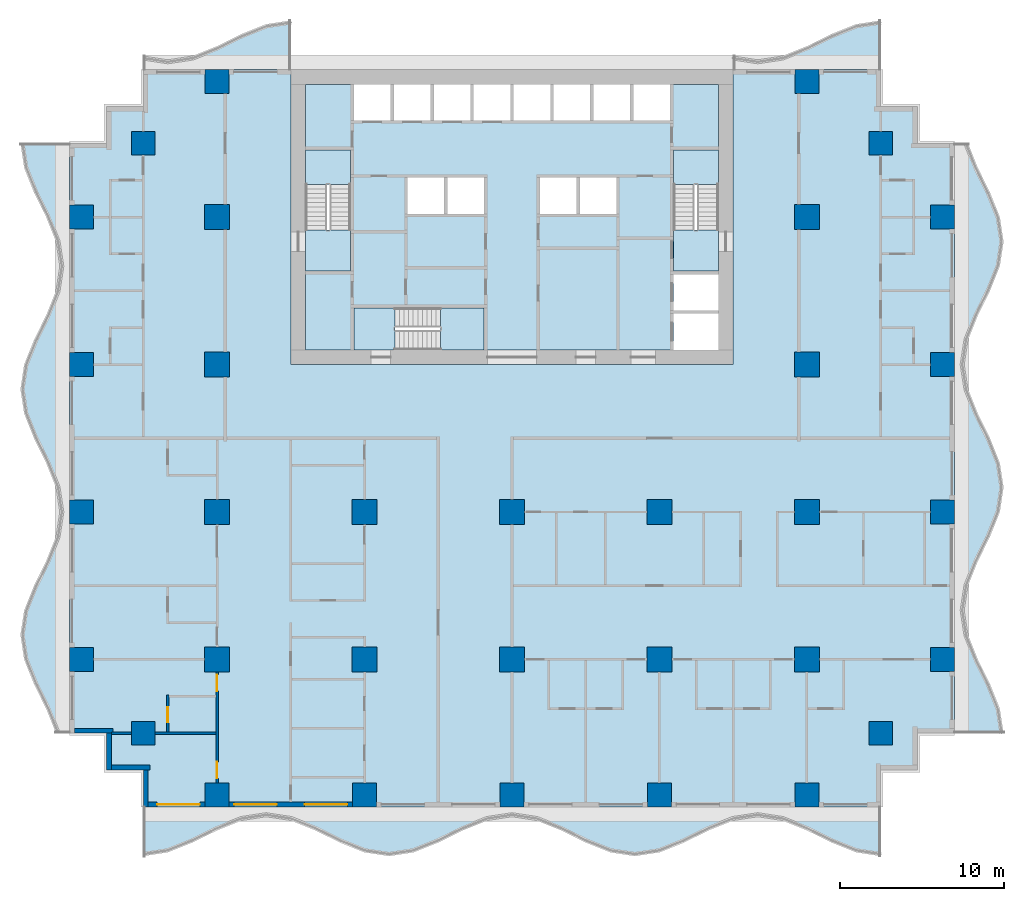
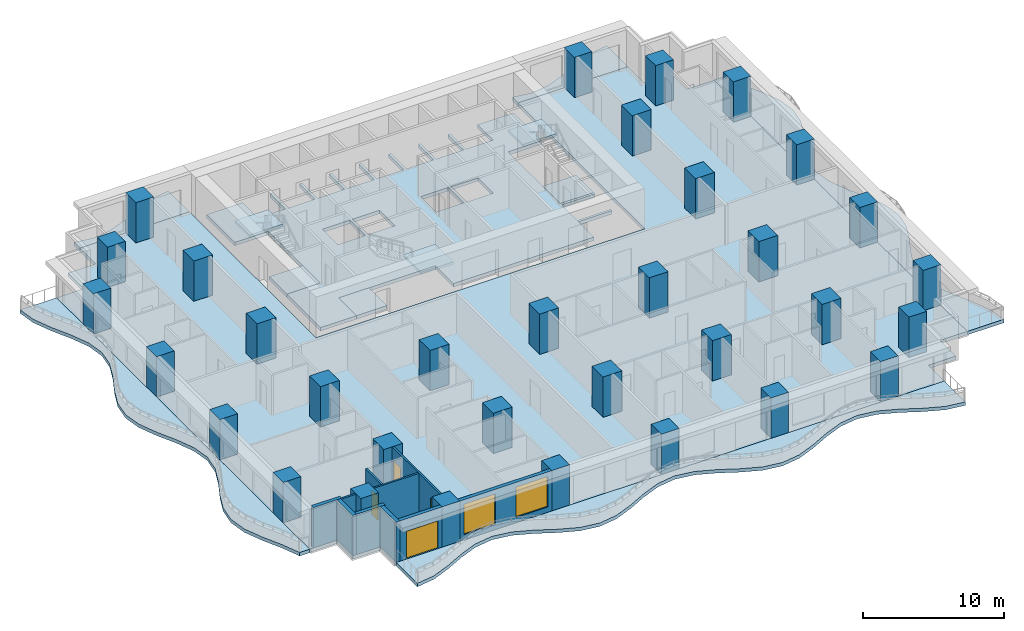
# One storey, part 1 of 14: 33 columns, 13 slabs, 10 walls, 4 doors, 2 windows, 6 openings, 3 elements without a shape of their own.
"""IFC4 building model written with IfcOpenShell, lengths in metres."""

from ifc_helpers import new_model, si_unit, direction, frame, frame_2d, origin, origin_2d, place, context, subcontext, project, spatial, polyline, rectangle, outline, extrude, material, layer, layer_set, material_profile, profile_set, type_object, element, fill, aggregate, save


model = new_model("IFC4")

# Units and contexts
model_context = context("Model", 3, precision=1e-05, world=origin(), true_north=direction((0.0, 1.0)))
body_context = subcontext(model_context, "Body", "Model", "MODEL_VIEW")
ifc_project = project(units=[si_unit("LENGTHUNIT", "METRE"), si_unit("AREAUNIT", "SQUARE_METRE"), si_unit("VOLUMEUNIT", "CUBIC_METRE"), si_unit("PLANEANGLEUNIT", "RADIAN"), si_unit("MASSUNIT", "GRAM", prefix="KILO")], contexts=[model_context])

# Site, building, storey
site_placement = place(None, origin())
site = spatial("IfcSite", under=ifc_project, at=site_placement, CompositionType="ELEMENT")
building_placement = place(site_placement, origin())
building = spatial("IfcBuilding", under=site, at=building_placement, Name="Orbiselva Terraces", CompositionType="ELEMENT")
storey_placement = place(building_placement, frame((0.0, 0.0, 22.6)))
storey = spatial("IfcBuildingStorey", under=building, at=storey_placement, Name="L05", CompositionType="ELEMENT", Elevation=22.6)

# Columns
ifc_material_1 = material(Name="Concrete C80/95", Category="concrete")
ifc_material_profile_1 = material_profile(ifc_material_1, rectangle(XDim=1.55, YDim=1.55, at=origin_2d()), Name="RC 1550x1550")
ifc_profile_set_1 = profile_set([ifc_material_profile_1], Name="Concrete C80/95")
column_type_1 = type_object("IfcColumnType", Name="COLUMN RC 1550x1550", PredefinedType="COLUMN", material=ifc_profile_set_1)
for number, where, z_axis, x_axis, name in (
    (1, (-18.0, -13.5, 0.0), (0.0, 0.0, 1.0), (1.0, 0.0, 0.0), "Column L05-01"),
    (2, (-18.0, -4.5, 0.0), (0.0, 0.0, 1.0), (1.0, 0.0, 0.0), "Column L05-03"),
    (3, (-18.0, 13.5, 0.0), (0.0, 0.0, 1.0), (1.0, 0.0, 0.0), "Column L05-04"),
    (4, (-18.0, 4.5, 0.0), (0.0, 0.0, 1.0), (1.0, 0.0, 0.0), "Column L05-06"),
    (5, (-9.0, -13.5, 0.0), (0.0, 0.0, 1.0), (1.0, 0.0, 0.0), "Column L05-13"),
    (6, (-9.0, -4.5, 0.0), (0.0, 0.0, 1.0), (1.0, 0.0, 0.0), "Column L05-15"),
    (7, (0.0, -13.5, 0.0), (0.0, 0.0, 1.0), (1.0, 0.0, 0.0), "Column L05-16"),
    (8, (0.0, -4.5, 0.0), (0.0, 0.0, 1.0), (1.0, 0.0, 0.0), "Column L05-18"),
    (9, (18.0, -13.5, 0.0), (0.0, 0.0, 1.0), (1.0, 0.0, 0.0), "Column L05-19"),
    (10, (18.0, -4.5, 0.0), (0.0, 0.0, 1.0), (1.0, 0.0, 0.0), "Column L05-21"),
    (11, (18.0, 13.5, 0.0), (0.0, 0.0, 1.0), (1.0, 0.0, 0.0), "Column L05-22"),
    (12, (18.0, 4.5, 0.0), (0.0, 0.0, 1.0), (1.0, 0.0, 0.0), "Column L05-24"),
    (13, (9.0, -13.5, 0.0), (0.0, 0.0, 1.0), (1.0, 0.0, 0.0), "Column L05-31"),
    (14, (9.0, -4.5, 0.0), (0.0, 0.0, 1.0), (1.0, 0.0, 0.0), "Column L05-33"),
):
    element("IfcColumn", number, at=place(storey_placement, frame(where, z_axis=z_axis, x_axis=x_axis)), inside=storey, type_object=column_type_1, Name=name, PredefinedType="COLUMN", context=body_context, shape_type="SweptSolid", body=[
        extrude(rectangle(XDim=1.55, YDim=1.55, at=origin_2d()), origin(), (0.0, 0.0, 1.0), 3.5),
    ])
ifc_material_2 = material(Name="Concrete C70/85", Category="concrete")
ifc_material_profile_2 = material_profile(ifc_material_2, rectangle(XDim=1.45, YDim=1.45, at=origin_2d()), Name="RC 1450x1450")
ifc_profile_set_2 = profile_set([ifc_material_profile_2], Name="Concrete C70/85")
column_type_2 = type_object("IfcColumnType", Name="PERIMETER COLUMN RC 1450x1450", PredefinedType="COLUMN", material=ifc_profile_set_2)
for number, where, z_axis, x_axis, name in (
    (15, (-18.0, -21.775, 0.0), (0.0, 0.0, 1.0), (1.0, 0.0, 0.0), "Column L05-02"),
    (16, (-18.0, 21.775, 0.0), (0.0, 0.0, 1.0), (1.0, 0.0, 0.0), "Column L05-05"),
    (17, (-26.275, -13.5, 0.0), (0.0, 0.0, 1.0), (1.0, 0.0, 0.0), "Column L05-07"),
    (18, (-22.5, -18.0, 0.0), (0.0, 0.0, 1.0), (1.0, 0.0, 0.0), "Column L05-08"),
    (19, (-26.275, -4.5, 0.0), (0.0, 0.0, 1.0), (1.0, 0.0, 0.0), "Column L05-09"),
    (20, (-26.275, 13.5, 0.0), (0.0, 0.0, 1.0), (1.0, 0.0, 0.0), "Column L05-10"),
    (21, (-22.5, 18.0, 0.0), (0.0, 0.0, 1.0), (1.0, 0.0, 0.0), "Column L05-11"),
    (22, (-26.275, 4.5, 0.0), (0.0, 0.0, 1.0), (1.0, 0.0, 0.0), "Column L05-12"),
    (23, (-9.0, -21.775, 0.0), (0.0, 0.0, 1.0), (1.0, 0.0, 0.0), "Column L05-14"),
    (24, (0.0, -21.775, 0.0), (0.0, 0.0, 1.0), (1.0, 0.0, 0.0), "Column L05-17"),
    (25, (18.0, -21.775, 0.0), (0.0, 0.0, 1.0), (1.0, 0.0, 0.0), "Column L05-20"),
    (26, (18.0, 21.775, 0.0), (0.0, 0.0, 1.0), (1.0, 0.0, 0.0), "Column L05-23"),
    (27, (26.275, -13.5, 0.0), (0.0, 0.0, 1.0), (1.0, 0.0, 0.0), "Column L05-25"),
    (28, (22.5, -18.0, 0.0), (0.0, 0.0, 1.0), (1.0, 0.0, 0.0), "Column L05-26"),
    (29, (26.275, -4.5, 0.0), (0.0, 0.0, 1.0), (1.0, 0.0, 0.0), "Column L05-27"),
    (30, (26.275, 13.5, 0.0), (0.0, 0.0, 1.0), (1.0, 0.0, 0.0), "Column L05-28"),
    (31, (22.5, 18.0, 0.0), (0.0, 0.0, 1.0), (1.0, 0.0, 0.0), "Column L05-29"),
    (32, (26.275, 4.5, 0.0), (0.0, 0.0, 1.0), (1.0, 0.0, 0.0), "Column L05-30"),
    (33, (9.0, -21.775, 0.0), (0.0, 0.0, 1.0), (1.0, 0.0, 0.0), "Column L05-32"),
):
    element("IfcColumn", number, at=place(storey_placement, frame(where, z_axis=z_axis, x_axis=x_axis)), inside=storey, type_object=column_type_2, Name=name, PredefinedType="COLUMN", context=body_context, shape_type="SweptSolid", body=[
        extrude(rectangle(XDim=1.45, YDim=1.45, at=origin_2d()), origin(), (0.0, 0.0, 1.0), 3.5),
    ])

# Slabs
ifc_material_3 = material(Name="Concrete C40/50", Category="concrete")
ifc_layer_1 = layer(ifc_material_3, 0.3)
ifc_layer_set_1 = layer_set([ifc_layer_1], Name="Concrete C40/50")
slab_type_1 = type_object("IfcSlabType", Name="CORE-SLAB-FLOOR-300", PredefinedType="FLOOR", material=ifc_layer_set_1)
slab_1_placement = place(storey_placement, frame((0.0, 0.0, -0.3)))
element("IfcSlab", 34, at=slab_1_placement, inside=storey, type_object=slab_type_1, Name="L05 S1 floor landing", PredefinedType="FLOOR", context=body_context, shape_type="SweptSolid", body=[
    extrude(outline(polyline([(-12.6, 12.7), (-9.85, 12.7), (-9.85, 10.2), (-12.6, 10.2), (-12.6, 12.7)])), origin(), (0.0, 0.0, 1.0), 0.3),
])
slab_2_placement = place(storey_placement, frame((0.0, 0.0, -0.3)))
element("IfcSlab", 35, at=slab_2_placement, inside=storey, type_object=slab_type_1, Name="L05 S2 floor landing", PredefinedType="FLOOR", context=body_context, shape_type="SweptSolid", body=[
    extrude(outline(polyline([(12.6, 12.7), (12.6, 10.2), (9.85, 10.2), (9.85, 12.7), (12.6, 12.7)])), origin(), (0.0, 0.0, 1.0), 0.3),
])
slab_3_placement = place(storey_placement, frame((0.0, 0.0, -0.3)))
element("IfcSlab", 36, at=slab_3_placement, inside=storey, type_object=slab_type_1, Name="L05 S3 floor landing", PredefinedType="FLOOR", context=body_context, shape_type="SweptSolid", body=[
    extrude(outline(polyline([(-7.15, 5.4), (-9.65, 5.4), (-9.65, 7.95), (-7.15, 7.95), (-7.15, 5.4)])), origin(), (0.0, 0.0, 1.0), 0.3),
])
slab_4_placement = place(storey_placement, frame((0.0, 0.0, -0.3)))
element("IfcSlab", 37, at=slab_4_placement, inside=storey, type_object=slab_type_1, Name="L05 core floor slab 1", PredefinedType="FLOOR", context=body_context, shape_type="SweptSolid", body=[
    extrude(outline(polyline([(-1.7, 5.4), (-1.7, 7.95), (-9.65, 7.95), (-9.65, 5.4), (-12.6, 5.4), (-12.6, 10.2), (-9.85, 10.2), (-9.85, 17.6), (-12.6, 17.6), (-12.6, 21.6), (-9.65, 21.6), (-9.65, 19.4), (-7.4125, 19.4), (-7.4125, 21.6), (-7.2125, 21.6), (-7.2125, 19.4), (-4.975, 19.4), (-4.975, 21.6), (-4.775, 21.6), (-4.775, 19.4), (-2.5375, 19.4), (-2.5375, 21.6), (-2.3375, 21.6), (-2.3375, 19.4), (-0.1, 19.4), (-0.1, 21.6), (0.1, 21.6), (0.1, 19.4), (2.3375, 19.4), (2.3375, 21.6), (2.5375, 21.6), (2.5375, 19.4), (4.775, 19.4), (4.775, 21.6), (4.975, 21.6), (4.975, 19.4), (7.2125, 19.4), (7.2125, 21.6), (7.4125, 21.6), (7.4125, 19.4), (9.65, 19.4), (9.65, 21.6), (12.6, 21.6), (12.6, 17.6), (9.85, 17.6), (9.85, 10.2), (12.6, 10.2), (12.6, 10.0), (9.85, 10.0), (9.85, 7.8), (12.6, 7.8), (12.6, 7.6), (9.85, 7.6), (9.85, 5.4), (-1.7, 5.4)]), holes=[polyline([(-4.1375, 13.7), (-4.1375, 15.9), (-6.375, 15.9), (-6.375, 13.7), (-4.1375, 13.7)]), polyline([(-1.7, 13.7), (-1.7, 15.9), (-3.9375, 15.9), (-3.9375, 13.7), (-1.7, 13.7)]), polyline([(3.9375, 13.7), (3.9375, 15.9), (1.7, 15.9), (1.7, 13.7), (3.9375, 13.7)]), polyline([(6.375, 13.7), (6.375, 15.9), (4.1375, 15.9), (4.1375, 13.7), (6.375, 13.7)])]), origin(), (0.0, 0.0, 1.0), 0.3),
])

# Stair, slab
stair_type_1 = type_object("IfcStairType", Name="CORE-STAIR-1300", PredefinedType="HALF_TURN_STAIR", material=ifc_material_3)
stair_1_placement = place(storey_placement, origin())
stair_1 = element("IfcStair", 38, at=stair_1_placement, inside=storey, type_object=stair_type_1, Name="L05 Exit Stair S1", PredefinedType="HALF_TURN_STAIR")
ifc_layer_2 = layer(ifc_material_3, 0.2)
ifc_layer_set_2 = layer_set([ifc_layer_2], Name="Concrete C40/50")
slab_type_2 = type_object("IfcSlabType", Name="CORE-STAIR-LANDING-200", PredefinedType="LANDING", material=ifc_layer_set_2)
slab_5_placement = place(storey_placement, frame((0.0, 0.0, 1.7)))
slab_5 = element("IfcSlab", 39, at=slab_5_placement, type_object=slab_type_2, Name="S1 landing 1", PredefinedType="LANDING", context=body_context, shape_type="SweptSolid", body=[
    extrude(outline(polyline([(-9.85, 15.5), (-9.85, 17.6), (-12.6, 17.6), (-12.6, 15.5), (-9.85, 15.5)])), origin(), (0.0, 0.0, 1.0), 0.2),
])
aggregate(stair_1, [slab_5])

stair_2_placement = place(storey_placement, origin())
stair_2 = element("IfcStair", 40, at=stair_2_placement, inside=storey, type_object=stair_type_1, Name="L05 Exit Stair S2", PredefinedType="HALF_TURN_STAIR")
slab_6_placement = place(storey_placement, frame((0.0, 0.0, 1.7)))
slab_6 = element("IfcSlab", 41, at=slab_6_placement, type_object=slab_type_2, Name="S2 landing 1", PredefinedType="LANDING", context=body_context, shape_type="SweptSolid", body=[
    extrude(outline(polyline([(12.6, 15.5), (12.6, 17.6), (9.85, 17.6), (9.85, 15.5), (12.6, 15.5)])), origin(), (0.0, 0.0, 1.0), 0.2),
])
aggregate(stair_2, [slab_6])

stair_type_2 = type_object("IfcStairType", Name="CORE-STAIR-1200", PredefinedType="HALF_TURN_STAIR", material=ifc_material_3)
stair_3_placement = place(storey_placement, origin())
stair_3 = element("IfcStair", 42, at=stair_3_placement, inside=storey, type_object=stair_type_2, Name="L05 Exit Stair S3", PredefinedType="HALF_TURN_STAIR")
slab_7_placement = place(storey_placement, frame((0.0, 0.0, 1.7)))
slab_7 = element("IfcSlab", 43, at=slab_7_placement, type_object=slab_type_2, Name="S3 landing 1", PredefinedType="LANDING", context=body_context, shape_type="SweptSolid", body=[
    extrude(outline(polyline([(-4.35, 5.4), (-1.7, 5.4), (-1.7, 7.95), (-4.35, 7.95), (-4.35, 5.4)])), origin(), (0.0, 0.0, 1.0), 0.2),
])
aggregate(stair_3, [slab_7])

# Slabs
ifc_material_4 = material(Name="Concrete C50/60", Category="concrete")
ifc_layer_3 = layer(ifc_material_4, 0.3)
ifc_layer_set_3 = layer_set([ifc_layer_3], Name="Concrete C50/60")
slab_type_3 = type_object("IfcSlabType", Name="ENV-BALCONY-SLAB-300", PredefinedType="FLOOR", material=ifc_layer_set_3)
slab_8_placement = place(storey_placement, frame((0.0, 0.0, -0.3)))
element("IfcSlab", 44, at=slab_8_placement, inside=storey, type_object=slab_type_3, Name="Balcony slab L05 S", PredefinedType="FLOOR", context=body_context, shape_type="SweptSolid", body=[
    extrude(outline(polyline([(-22.5, -25.5), (-21.0, -25.27082), (-19.5, -24.67082), (-18.0, -23.92918), (-16.5, -23.32918), (-15.0, -23.1), (-13.5, -23.32918), (-12.0, -23.92918), (-10.5, -24.67082), (-9.0, -25.27082), (-7.5, -25.5), (-6.0, -25.27082), (-4.5, -24.67082), (-3.0, -23.92918), (-1.5, -23.32918), (0.0, -23.1), (1.5, -23.32918), (3.0, -23.92918), (4.5, -24.67082), (6.0, -25.27082), (7.5, -25.5), (9.0, -25.27082), (10.5, -24.67082), (12.0, -23.92918), (13.5, -23.32918), (15.0, -23.1), (16.5, -23.32918), (18.0, -23.92918), (19.5, -24.67082), (21.0, -25.27082), (22.5, -25.5), (22.5, -22.5), (-22.5, -22.5), (-22.5, -25.5)])), origin(), (0.0, 0.0, 1.0), 0.3),
])
slab_9_placement = place(storey_placement, frame((0.0, 0.0, -0.3)))
element("IfcSlab", 45, at=slab_9_placement, inside=storey, type_object=slab_type_3, Name="Balcony slab L05 E", PredefinedType="FLOOR", context=body_context, shape_type="SweptSolid", body=[
    extrude(outline(polyline([(30.0, -18.0), (29.77082, -16.5), (29.17082, -15.0), (28.42918, -13.5), (27.82918, -12.0), (27.6, -10.5), (27.82918, -9.0), (28.42918, -7.5), (29.17082, -6.0), (29.77082, -4.5), (30.0, -3.0), (29.77082, -1.5), (29.17082, 0.0), (28.42918, 1.5), (27.82918, 3.0), (27.6, 4.5), (27.82918, 6.0), (28.42918, 7.5), (29.17082, 9.0), (29.77082, 10.5), (30.0, 12.0), (29.77082, 13.5), (29.17082, 15.0), (28.42918, 16.5), (27.82918, 18.0), (27.0, 18.0), (27.0, -18.0), (30.0, -18.0)])), origin(), (0.0, 0.0, 1.0), 0.3),
])
slab_10_placement = place(storey_placement, frame((0.0, 0.0, -0.3)))
element("IfcSlab", 46, at=slab_10_placement, inside=storey, type_object=slab_type_3, Name="Balcony slab L05 NE", PredefinedType="FLOOR", context=body_context, shape_type="SweptSolid", body=[
    extrude(outline(polyline([(22.5, 25.5), (21.0, 25.27082), (19.5, 24.67082), (18.0, 23.92918), (16.5, 23.32918), (15.0, 23.1), (13.5, 23.32918), (13.5, 22.5), (22.5, 22.5), (22.5, 25.5)])), origin(), (0.0, 0.0, 1.0), 0.3),
])
slab_11_placement = place(storey_placement, frame((0.0, 0.0, -0.3)))
element("IfcSlab", 47, at=slab_11_placement, inside=storey, type_object=slab_type_3, Name="Balcony slab L05 NW", PredefinedType="FLOOR", context=body_context, shape_type="SweptSolid", body=[
    extrude(outline(polyline([(-13.5, 25.5), (-15.0, 25.27082), (-16.5, 24.67082), (-18.0, 23.92918), (-19.5, 23.32918), (-21.0, 23.1), (-22.5, 23.32918), (-22.5, 22.5), (-13.5, 22.5), (-13.5, 25.5)])), origin(), (0.0, 0.0, 1.0), 0.3),
])
slab_12_placement = place(storey_placement, frame((0.0, 0.0, -0.3)))
element("IfcSlab", 48, at=slab_12_placement, inside=storey, type_object=slab_type_3, Name="Balcony slab L05 W", PredefinedType="FLOOR", context=body_context, shape_type="SweptSolid", body=[
    extrude(outline(polyline([(-30.0, 18.0), (-29.77082, 16.5), (-29.17082, 15.0), (-28.42918, 13.5), (-27.82918, 12.0), (-27.6, 10.5), (-27.82918, 9.0), (-28.42918, 7.5), (-29.17082, 6.0), (-29.77082, 4.5), (-30.0, 3.0), (-29.77082, 1.5), (-29.17082, 0.0), (-28.42918, -1.5), (-27.82918, -3.0), (-27.6, -4.5), (-27.82918, -6.0), (-28.42918, -7.5), (-29.17082, -9.0), (-29.77082, -10.5), (-30.0, -12.0), (-29.77082, -13.5), (-29.17082, -15.0), (-28.42918, -16.5), (-27.82918, -18.0), (-27.0, -18.0), (-27.0, 18.0), (-30.0, 18.0)])), origin(), (0.0, 0.0, 1.0), 0.3),
])
ifc_layer_4 = layer(ifc_material_4, 0.3)
ifc_layer_set_4 = layer_set([ifc_layer_4], Name="Concrete C50/60")
slab_type_4 = type_object("IfcSlabType", Name="FLOOR SLAB 300", PredefinedType="FLOOR", material=ifc_layer_set_4)
slab_13_placement = place(storey_placement, frame((0.0, 0.0, -0.3)))
element("IfcSlab", 49, at=slab_13_placement, inside=storey, type_object=slab_type_4, Name="Floor slab L05", PredefinedType="FLOOR", context=body_context, shape_type="SweptSolid", body=[
    extrude(outline(polyline([(22.5, 22.5), (22.5, 20.25), (24.75, 20.25), (24.75, 18.0), (27.0, 18.0), (27.0, -18.0), (24.75, -18.0), (24.75, -20.25), (22.5, -20.25), (22.5, -22.5), (-22.5, -22.5), (-22.5, -20.25), (-24.75, -20.25), (-24.75, -18.0), (-27.0, -18.0), (-27.0, 18.0), (-24.75, 18.0), (-24.75, 20.25), (-22.5, 20.25), (-22.5, 22.5), (-13.5, 22.5), (-13.5, 4.5), (13.5, 4.5), (13.5, 22.5), (22.5, 22.5)])), origin(), (0.0, 0.0, 1.0), 0.3),
])

# Wall, opening, door
ifc_material_5 = material(Name="Terracotta cladding on masonry backing", Category="masonry")
ifc_layer_5 = layer(ifc_material_5, 0.3)
ifc_layer_set_5 = layer_set([ifc_layer_5], Name="Terracotta cladding on masonry backing")
wall_type_1 = type_object("IfcWallType", Name="ENV-WALL-TERRACOTTA-300", PredefinedType="SOLIDWALL", material=ifc_layer_set_5)
wall_1_placement = place(storey_placement, frame((-18.725, -22.35, 0.0), z_axis=(0.0, 0.0, 1.0), x_axis=(-1.0, 0.0, 0.0)))
wall_1 = element("IfcWall", 50, at=wall_1_placement, inside=storey, type_object=wall_type_1, Name="Facade wall L05 S", PredefinedType="SOLIDWALL", context=body_context, shape_type="SweptSolid", body=[
    extrude(rectangle(XDim=3.475, YDim=0.3, at=frame_2d((1.7375, 0.0))), origin(), (0.0, 0.0, 1.0), 3.5),
])
opening_1_placement = place(wall_1_placement, frame((0.325, 0.0, 0.0)))
opening_1 = element("IfcOpeningElement", 51, at=opening_1_placement, cuts=wall_1, Name="Opening Z1-A-E01", PredefinedType="OPENING", context=body_context, shape_type="SweptSolid", body=[
    extrude(rectangle(XDim=2.6, YDim=2.4, at=frame_2d((1.3, 1.2))), frame((0.0, 0.16, 0.0), z_axis=(0.0, -1.0, 0.0), x_axis=(1.0, 0.0, 0.0)), (0.0, 0.0, 1.0), 0.32),
])
ifc_material_6 = material(Name="Clear low-e glazing in aluminium frame", Category="aluminium")
door_type_1 = type_object("IfcDoorType", Name="BALCONY DOOR 2600 X 2400", OperationType="DOUBLE_DOOR_SLIDING", PredefinedType="DOOR", material=ifc_material_6)
door_1_placement = place(opening_1_placement, origin())
door_1 = element("IfcDoor", 52, at=door_1_placement, inside=storey, type_object=door_type_1, Name="Z1-A-E01", OperationType="SINGLE_SWING_LEFT", OverallHeight=2.4, OverallWidth=2.6, PredefinedType="DOOR", context=body_context, shape_type="SweptSolid", body=[
    extrude(rectangle(XDim=2.6, YDim=2.4, at=frame_2d((1.3, 1.2))), frame((0.0, 0.025, 0.0), z_axis=(0.0, -1.0, 0.0), x_axis=(1.0, 0.0, 0.0)), (0.0, 0.0, 1.0), 0.05),
])
fill(opening_1, door_1)

# Wall, openings, windows
wall_2_placement = place(storey_placement, frame((-9.725, -22.35, 0.0), z_axis=(0.0, 0.0, 1.0), x_axis=(-1.0, 0.0, 0.0)))
wall_2 = element("IfcWall", 53, at=wall_2_placement, inside=storey, type_object=wall_type_1, Name="Facade wall L05 S", PredefinedType="SOLIDWALL", context=body_context, shape_type="SweptSolid", body=[
    extrude(rectangle(XDim=7.55, YDim=0.3, at=frame_2d((3.775, 0.0))), origin(), (0.0, 0.0, 1.0), 3.5),
])
opening_2_placement = place(wall_2_placement, frame((4.625, 0.0, 0.45)))
opening_2 = element("IfcOpeningElement", 54, at=opening_2_placement, cuts=wall_2, Name="Opening WN1", PredefinedType="OPENING", context=body_context, shape_type="SweptSolid", body=[
    extrude(rectangle(XDim=2.6, YDim=2.65, at=frame_2d((1.3, 1.325))), frame((0.0, 0.16, 0.0), z_axis=(0.0, -1.0, 0.0), x_axis=(1.0, 0.0, 0.0)), (0.0, 0.0, 1.0), 0.32),
])
opening_3_placement = place(wall_2_placement, frame((0.325, 0.0, 0.45)))
opening_3 = element("IfcOpeningElement", 55, at=opening_3_placement, cuts=wall_2, Name="Opening WN1", PredefinedType="OPENING", context=body_context, shape_type="SweptSolid", body=[
    extrude(rectangle(XDim=2.6, YDim=2.65, at=frame_2d((1.3, 1.325))), frame((0.0, 0.16, 0.0), z_axis=(0.0, -1.0, 0.0), x_axis=(1.0, 0.0, 0.0)), (0.0, 0.0, 1.0), 0.32),
])
window_type = type_object("IfcWindowType", Name="WINDOW 2600 X 2650 S450", PartitioningType="TRIPLE_PANEL_VERTICAL", PredefinedType="WINDOW", material=ifc_material_6)
window_1_placement = place(opening_2_placement, origin())
window_1 = element("IfcWindow", 56, at=window_1_placement, inside=storey, type_object=window_type, Name="Window L05 S", OverallHeight=2.65, OverallWidth=2.6, PartitioningType="SINGLE_PANEL", PredefinedType="WINDOW", context=body_context, shape_type="SweptSolid", body=[
    extrude(rectangle(XDim=2.6, YDim=2.65, at=frame_2d((1.3, 1.325))), frame((0.0, 0.03, 0.0), z_axis=(0.0, -1.0, 0.0), x_axis=(1.0, 0.0, 0.0)), (0.0, 0.0, 1.0), 0.06),
])
fill(opening_2, window_1)
window_2_placement = place(opening_3_placement, origin())
window_2 = element("IfcWindow", 57, at=window_2_placement, inside=storey, type_object=window_type, Name="Window L05 S", OverallHeight=2.65, OverallWidth=2.6, PartitioningType="SINGLE_PANEL", PredefinedType="WINDOW", context=body_context, shape_type="SweptSolid", body=[
    extrude(rectangle(XDim=2.6, YDim=2.65, at=frame_2d((1.3, 1.325))), frame((0.0, 0.03, 0.0), z_axis=(0.0, -1.0, 0.0), x_axis=(1.0, 0.0, 0.0)), (0.0, 0.0, 1.0), 0.06),
])
fill(opening_3, window_2)

# Walls
wall_3_placement = place(storey_placement, frame((-24.35, -17.85, 0.0), z_axis=(0.0, 0.0, 1.0), x_axis=(-1.0, 0.0, 0.0)))
element("IfcWall", 58, at=wall_3_placement, inside=storey, type_object=wall_type_1, Name="Facade wall L05 STEP", PredefinedType="SOLIDWALL", context=body_context, shape_type="SweptSolid", body=[
    extrude(rectangle(XDim=2.35, YDim=0.3, at=frame_2d((1.175, 0.0))), origin(), (0.0, 0.0, 1.0), 3.5),
])
wall_4_placement = place(storey_placement, frame((-24.6, -20.25, 0.0), z_axis=(0.0, 0.0, 1.0), x_axis=(0.0, 1.0, 0.0)))
element("IfcWall", 59, at=wall_4_placement, inside=storey, type_object=wall_type_1, Name="Facade wall L05 STEP", PredefinedType="SOLIDWALL", context=body_context, shape_type="SweptSolid", body=[
    extrude(rectangle(XDim=2.25, YDim=0.3, at=frame_2d((1.125, 0.0))), origin(), (0.0, 0.0, 1.0), 3.5),
])
wall_5_placement = place(storey_placement, frame((-22.1, -20.1, 0.0), z_axis=(0.0, 0.0, 1.0), x_axis=(-1.0, 0.0, 0.0)))
element("IfcWall", 60, at=wall_5_placement, inside=storey, type_object=wall_type_1, Name="Facade wall L05 STEP", PredefinedType="SOLIDWALL", context=body_context, shape_type="SweptSolid", body=[
    extrude(rectangle(XDim=2.35, YDim=0.3, at=frame_2d((1.175, 0.0))), origin(), (0.0, 0.0, 1.0), 3.5),
])
wall_6_placement = place(storey_placement, frame((-22.35, -22.5, 0.0), z_axis=(0.0, 0.0, 1.0), x_axis=(0.0, 1.0, 0.0)))
element("IfcWall", 61, at=wall_6_placement, inside=storey, type_object=wall_type_1, Name="Facade wall L05 STEP", PredefinedType="SOLIDWALL", context=body_context, shape_type="SweptSolid", body=[
    extrude(rectangle(XDim=2.25, YDim=0.3, at=frame_2d((1.125, 0.0))), origin(), (0.0, 0.0, 1.0), 3.5),
])
ifc_material_7 = material(Name="Plasterboard on steel stud partition", Category="steel")
ifc_layer_6 = layer(ifc_material_7, 0.15)
ifc_layer_set_6 = layer_set([ifc_layer_6], Name="Plasterboard on steel stud partition")
wall_type_2 = type_object("IfcWallType", Name="UNIT-PARTITION-150", PredefinedType="PARTITIONING", material=ifc_layer_set_6)
wall_7_placement = place(storey_placement, frame((-24.45, -18.0, 0.0), z_axis=(0.0, 0.0, 1.0), x_axis=(1.0, 0.0, 0.0)))
element("IfcWall", 62, at=wall_7_placement, inside=storey, type_object=wall_type_2, Name="PARTITION L05-002", PredefinedType="PARTITIONING", context=body_context, shape_type="SweptSolid", body=[
    extrude(rectangle(XDim=1.225, YDim=0.15, at=frame_2d((0.6125, 0.0))), origin(), (0.0, 0.0, 1.0), 3.5),
])
wall_8_placement = place(storey_placement, frame((-21.775, -18.0, 0.0), z_axis=(0.0, 0.0, 1.0), x_axis=(1.0, 0.0, 0.0)))
element("IfcWall", 63, at=wall_8_placement, inside=storey, type_object=wall_type_2, Name="PARTITION L05-003", PredefinedType="PARTITIONING", context=body_context, shape_type="SweptSolid", body=[
    extrude(rectangle(XDim=3.7, YDim=0.15, at=frame_2d((1.85, 0.0))), origin(), (0.0, 0.0, 1.0), 3.5),
])

# Wall, opening, door
wall_9_placement = place(storey_placement, frame((-21.0, -15.675, 0.0), z_axis=(0.0, 0.0, 1.0), x_axis=(0.0, -1.0, 0.0)))
wall_9 = element("IfcWall", 64, at=wall_9_placement, inside=storey, type_object=wall_type_2, Name="PARTITION L05-051", PredefinedType="PARTITIONING", context=body_context, shape_type="SweptSolid", body=[
    extrude(rectangle(XDim=2.25, YDim=0.15, at=frame_2d((1.125, 0.0))), origin(), (0.0, 0.0, 1.0), 3.5),
])
opening_4_placement = place(wall_9_placement, frame((0.75, 0.0, 0.0)))
opening_4 = element("IfcOpeningElement", 65, at=opening_4_placement, cuts=wall_9, Name="Opening Z1-A-30", PredefinedType="OPENING", context=body_context, shape_type="SweptSolid", body=[
    extrude(rectangle(XDim=0.9, YDim=2.1, at=frame_2d((0.45, 1.05))), frame((0.0, 0.085, 0.0), z_axis=(0.0, -1.0, 0.0), x_axis=(1.0, 0.0, 0.0)), (0.0, 0.0, 1.0), 0.17),
])
ifc_material_8 = material(Name="Painted timber door leaf", Category="wood")
door_type_2 = type_object("IfcDoorType", Name="BATH DOOR 900", OperationType="NOTDEFINED", PredefinedType="DOOR", material=ifc_material_8)
door_2_placement = place(opening_4_placement, origin())
door_2 = element("IfcDoor", 66, at=door_2_placement, inside=storey, type_object=door_type_2, Name="Z1-A-30", OperationType="SINGLE_SWING_RIGHT", OverallHeight=2.1, OverallWidth=0.9, PredefinedType="DOOR", context=body_context, shape_type="SweptSolid", body=[
    extrude(rectangle(XDim=0.9, YDim=2.1, at=frame_2d((0.45, 1.05))), frame((0.0, 0.025, 0.0), z_axis=(0.0, -1.0, 0.0), x_axis=(1.0, 0.0, 0.0)), (0.0, 0.0, 1.0), 0.05),
])
fill(opening_4, door_2)

# Wall, openings, doors
wall_10_placement = place(storey_placement, frame((-18.0, -21.05, 0.0), z_axis=(0.0, 0.0, 1.0), x_axis=(0.0, 1.0, 0.0)))
wall_10 = element("IfcWall", 67, at=wall_10_placement, inside=storey, type_object=wall_type_2, Name="PARTITION L05-054", PredefinedType="PARTITIONING", context=body_context, shape_type="SweptSolid", body=[
    extrude(rectangle(XDim=6.775, YDim=0.15, at=frame_2d((3.3875, 0.0))), origin(), (0.0, 0.0, 1.0), 3.5),
])
opening_5_placement = place(wall_10_placement, frame((5.625, 0.0, 0.0)))
opening_5 = element("IfcOpeningElement", 68, at=opening_5_placement, cuts=wall_10, Name="Opening Z1-A-29", PredefinedType="OPENING", context=body_context, shape_type="SweptSolid", body=[
    extrude(rectangle(XDim=1.0, YDim=2.4, at=frame_2d((0.5, 1.2))), frame((0.0, 0.085, 0.0), z_axis=(0.0, -1.0, 0.0), x_axis=(1.0, 0.0, 0.0)), (0.0, 0.0, 1.0), 0.17),
])
opening_6_placement = place(wall_10_placement, frame((0.3, 0.0, 0.0)))
opening_6 = element("IfcOpeningElement", 69, at=opening_6_placement, cuts=wall_10, Name="Opening Z1-A-31", PredefinedType="OPENING", context=body_context, shape_type="SweptSolid", body=[
    extrude(rectangle(XDim=1.0, YDim=2.4, at=frame_2d((0.5, 1.2))), frame((0.0, 0.085, 0.0), z_axis=(0.0, -1.0, 0.0), x_axis=(1.0, 0.0, 0.0)), (0.0, 0.0, 1.0), 0.17),
])
door_type_3 = type_object("IfcDoorType", Name="ROOM DOOR 1000", OperationType="NOTDEFINED", PredefinedType="DOOR", material=ifc_material_8)
door_3_placement = place(opening_5_placement, origin())
door_3 = element("IfcDoor", 70, at=door_3_placement, inside=storey, type_object=door_type_3, Name="Z1-A-29", OperationType="SINGLE_SWING_RIGHT", OverallHeight=2.4, OverallWidth=1.0, PredefinedType="DOOR", context=body_context, shape_type="SweptSolid", body=[
    extrude(rectangle(XDim=1.0, YDim=2.4, at=frame_2d((0.5, 1.2))), frame((0.0, 0.025, 0.0), z_axis=(0.0, -1.0, 0.0), x_axis=(1.0, 0.0, 0.0)), (0.0, 0.0, 1.0), 0.05),
])
fill(opening_5, door_3)
door_4_placement = place(opening_6_placement, origin())
door_4 = element("IfcDoor", 71, at=door_4_placement, inside=storey, type_object=door_type_3, Name="Z1-A-31", OperationType="SINGLE_SWING_LEFT", OverallHeight=2.4, OverallWidth=1.0, PredefinedType="DOOR", context=body_context, shape_type="SweptSolid", body=[
    extrude(rectangle(XDim=1.0, YDim=2.4, at=frame_2d((0.5, 1.2))), frame((0.0, 0.025, 0.0), z_axis=(0.0, -1.0, 0.0), x_axis=(1.0, 0.0, 0.0)), (0.0, 0.0, 1.0), 0.05),
])
fill(opening_6, door_4)

save(model, "model.ifc")
